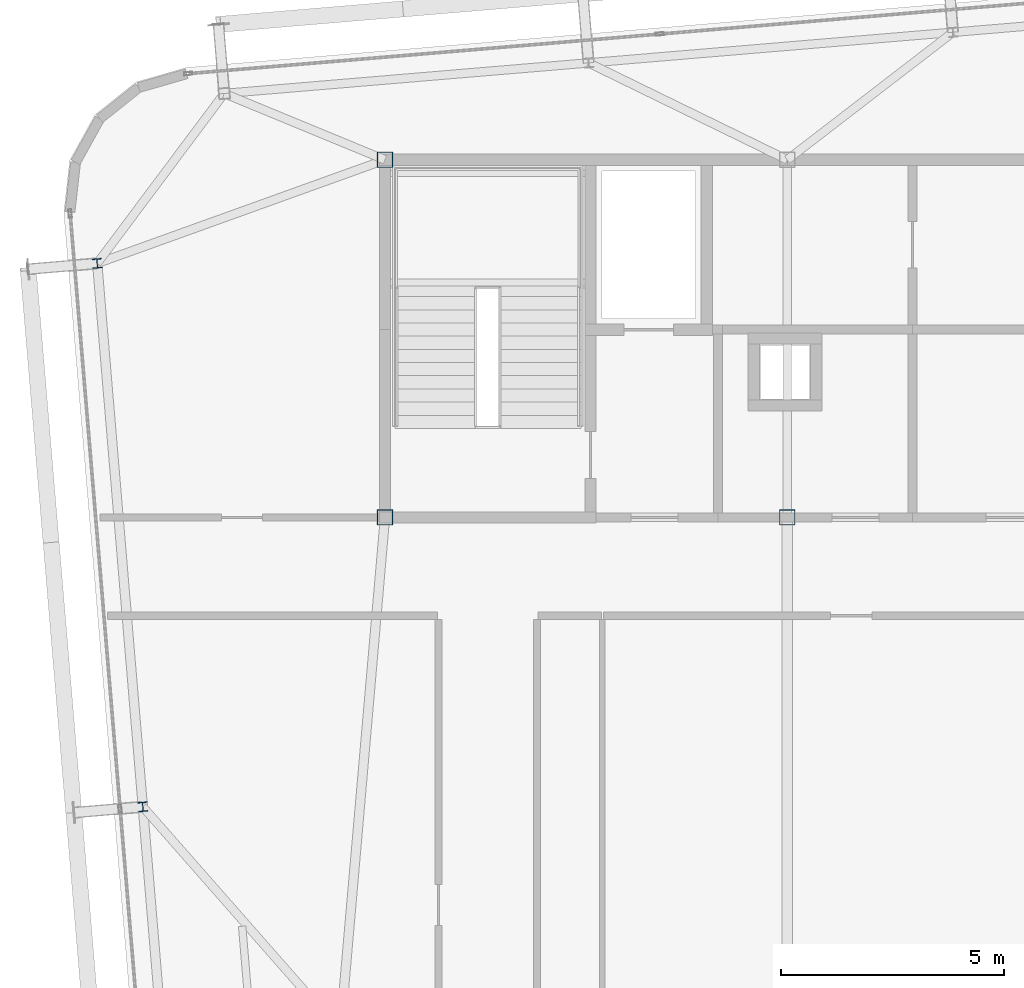
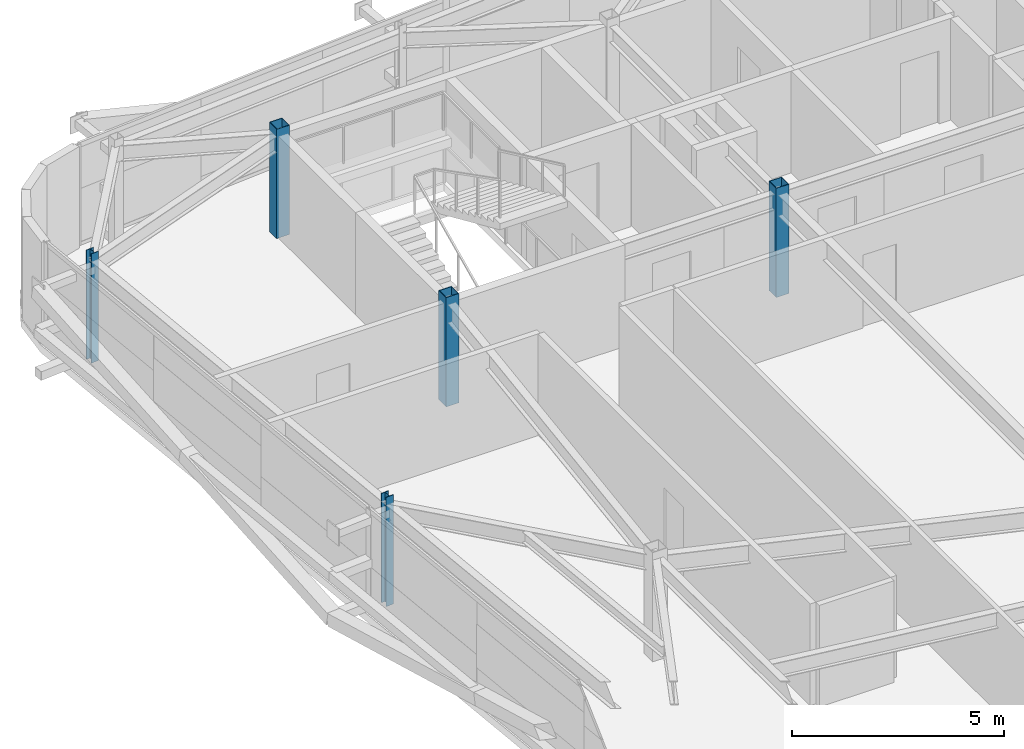
# One storey, part 2 of 37: 5 columns.
"""IFC4 building model written with IfcOpenShell, lengths in metres."""

from ifc_helpers import new_model, si_unit, direction, frame, origin, origin_2d, place, context, subcontext, project, spatial, hollow_rectangle, i_section, extrude, source, transform, mapped, material, material_profile, profile_set, type_object, element, save


model = new_model("IFC4")

# Units and contexts
model_context = context("Model", 3, precision=1e-05, world=origin(), true_north=direction((0.0, 1.0)))
body_context = subcontext(model_context, "Body", "Model", "MODEL_VIEW")
ifc_project = project(units=[si_unit("LENGTHUNIT", "METRE"), si_unit("AREAUNIT", "SQUARE_METRE"), si_unit("VOLUMEUNIT", "CUBIC_METRE"), si_unit("PLANEANGLEUNIT", "RADIAN"), si_unit("MASSUNIT", "GRAM", prefix="KILO")], contexts=[model_context])

# Site, building, storey
site_placement = place(None, origin())
site = spatial("IfcSite", under=ifc_project, at=site_placement, CompositionType="ELEMENT")
building_placement = place(site_placement, origin())
building = spatial("IfcBuilding", under=site, at=building_placement, Name="Taldren Reach Tower", CompositionType="ELEMENT")
storey_placement = place(building_placement, frame((0.0, 0.0, 200.89990234375)))
storey = spatial("IfcBuildingStorey", under=building, at=storey_placement, Name="L61", CompositionType="ELEMENT", Elevation=200.89990234375)

# Columns
ifc_material_1 = material(Name="Steel Gr 450 (C450L0)", Category="steel")
ifc_material_profile_1 = material_profile(ifc_material_1, hollow_rectangle(XDim=0.35009765625, YDim=0.35009765625, WallThickness=0.01611328125, at=origin_2d()), Name="350x350x16.0SHS")
ifc_profile_set_1 = profile_set([ifc_material_profile_1], Name="Steel Gr 450 (C450L0)")
column_type_1 = type_object("IfcColumnType", Name="COL-SHS350", PredefinedType="COLUMN", material=ifc_profile_set_1)
shared_shape_1 = source(origin(), body_context, "Body", "SweptSolid", [
    extrude(hollow_rectangle(XDim=0.35009765625, YDim=0.35009765625, WallThickness=0.01611328125, at=origin_2d()), origin(), (0.0, 0.0, 1.0), 3.150146484375),
])
for number, where, z_axis, x_axis, name in (
    (1, (19.0, 24.0, 0.0), (0.0, 0.0, 1.0), (1.0, 0.0, 0.0), "Mega column MC-C1 L61"),
    (2, (28.0, 24.0, 0.0), (0.0, 0.0, 1.0), (1.0, 0.0, 0.0), "Mega column MC-C2 L61"),
    (3, (19.0, 32.0, 0.0), (0.0, 0.0, 1.0), (1.0, 0.0, 0.0), "Mega column MC-C5 L61"),
):
    element("IfcColumn", number, at=place(storey_placement, frame(where, z_axis=z_axis, x_axis=x_axis)), inside=storey, type_object=column_type_1, Name=name, PredefinedType="COLUMN", context=body_context, shape_type="MappedRepresentation", body=[
        mapped(shared_shape_1, transform((0.0, 0.0, 0.0), scale=1.0)),
    ])
ifc_material_2 = material(Name="Steel Gr 350 (350PLUS)", Category="steel")
ifc_material_profile_2 = material_profile(ifc_material_2, i_section(OverallWidth=0.205078125, OverallDepth=0.2099609375, WebThickness=0.00927734375, FlangeThickness=0.01416015625, at=origin_2d()), Name="200UC59.5")
ifc_profile_set_2 = profile_set([ifc_material_profile_2], Name="Steel Gr 350 (350PLUS)")
column_type_2 = type_object("IfcColumnType", Name="COL-UC200", PredefinedType="COLUMN", material=ifc_profile_set_2)
shared_shape_2 = source(origin(), body_context, "Body", "SweptSolid", [
    extrude(i_section(OverallWidth=0.205078125, OverallDepth=0.2099609375, WebThickness=0.00927734375, FlangeThickness=0.01416015625, at=origin_2d()), origin(), (0.0, 0.0, 1.0), 3.150146484375),
])
for number, where, z_axis, x_axis, name in (
    (4, (13.582763671875, 17.525146484375, 0.0), (0.0, 0.0, 1.0), (0.99649285925, 0.083677843332, 0.0), "Block B4 perimeter column W2 L61"),
    (5, (12.56201171875, 29.682373046875, 0.0), (0.0, 0.0, 1.0), (0.99649285925, 0.083677843332, 0.0), "Block B4 perimeter column W3 L61"),
):
    element("IfcColumn", number, at=place(storey_placement, frame(where, z_axis=z_axis, x_axis=x_axis)), inside=storey, type_object=column_type_2, Name=name, PredefinedType="COLUMN", context=body_context, shape_type="MappedRepresentation", body=[
        mapped(shared_shape_2, transform((0.0, 0.0, 0.0), scale=1.0)),
    ])

save(model, "model.ifc")
